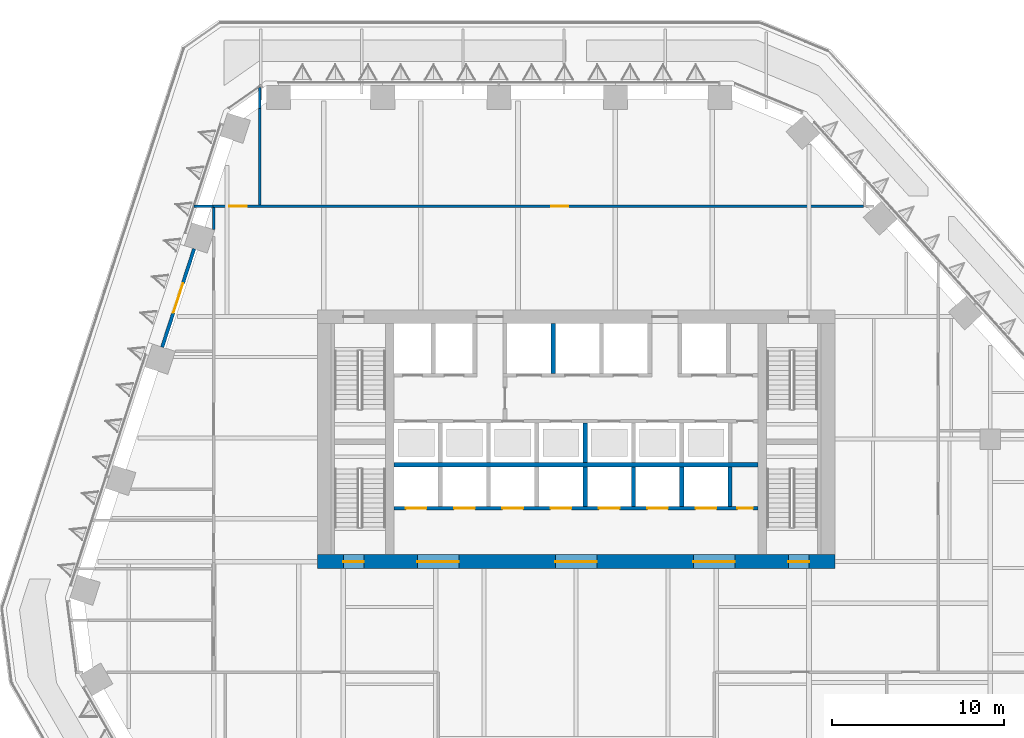
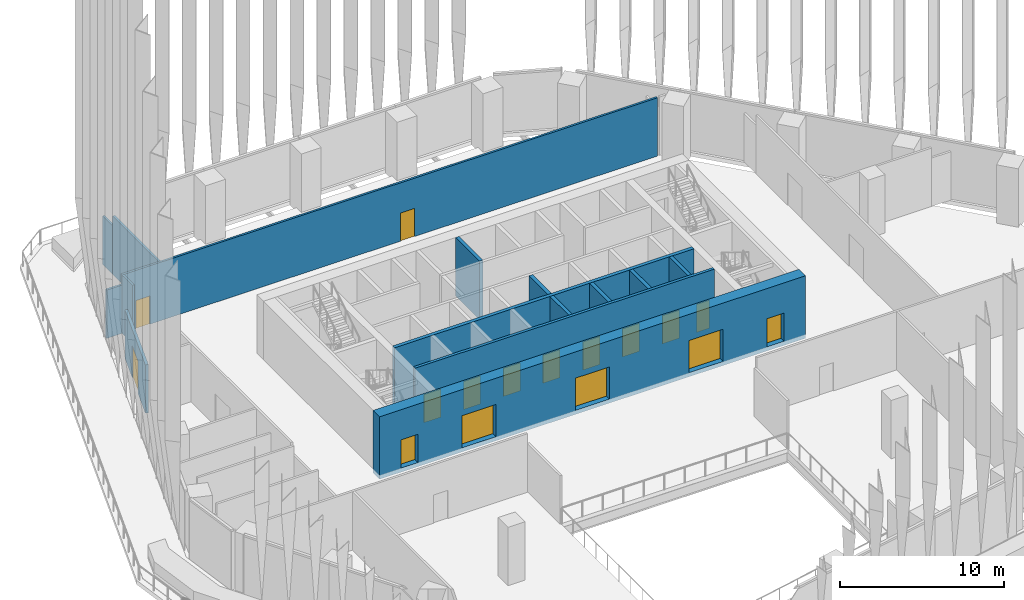
# One storey, part 14 of 27: 16 doors, 15 walls, 16 openings.
"""IFC4 building model written with IfcOpenShell, lengths in metres."""

from ifc_helpers import new_model, si_unit, direction, frame, frame_2d, origin, place, context, subcontext, project, spatial, rectangle, extrude, material, layer, layer_set, type_object, element, fill, save


model = new_model("IFC4")

# Units and contexts
model_context = context("Model", 3, precision=1e-05, world=origin(), true_north=direction((0.0, 1.0)))
body_context = subcontext(model_context, "Body", "Model", "MODEL_VIEW")
ifc_project = project(units=[si_unit("LENGTHUNIT", "METRE"), si_unit("AREAUNIT", "SQUARE_METRE"), si_unit("VOLUMEUNIT", "CUBIC_METRE"), si_unit("PLANEANGLEUNIT", "RADIAN"), si_unit("MASSUNIT", "GRAM", prefix="KILO")], contexts=[model_context])

# Site, building, storey
site_placement = place(None, origin())
site = spatial("IfcSite", under=ifc_project, at=site_placement, CompositionType="ELEMENT")
building_placement = place(site_placement, origin())
building = spatial("IfcBuilding", under=site, at=building_placement, Name="Isthmus Gate Tower", CompositionType="ELEMENT")
storey_placement = place(building_placement, frame((0.0, 0.0, 121.64990234375)))
storey = spatial("IfcBuildingStorey", under=building, at=storey_placement, Name="L29", CompositionType="ELEMENT", Elevation=121.64990234375)

# Wall
ifc_material_1 = material(Name="Gypsum board on cold-formed steel studs", Category="steel")
ifc_layer_1 = layer(ifc_material_1, 0.14990234375)
ifc_layer_set_1 = layer_set([ifc_layer_1])
wall_type_1 = type_object("IfcWallType", Name="Partition 150 gypsum board on steel studs", PredefinedType="PARTITIONING", material=ifc_layer_set_1)
wall_1_placement = place(storey_placement, frame((-22.144287109375, 21.0, 0.0), z_axis=(0.0, 0.0, 1.0), x_axis=(1.0, 0.0, 0.0)))
element("IfcWall", 1, at=wall_1_placement, inside=storey, type_object=wall_type_1, Name="Partition", PredefinedType="PARTITIONING", context=body_context, shape_type="SweptSolid", body=[
    extrude(rectangle(XDim=1.09130859375, YDim=0.14990234375, at=frame_2d((0.545654296875, 0.0))), origin(), (0.0, 0.0, 1.0), 3.60009765625),
])

# Wall, openings, doors
wall_2_placement = place(storey_placement, frame((-21.052978515625, 21.0, 0.0), z_axis=(0.0, 0.0, 1.0), x_axis=(1.0, 0.0, 0.0)))
wall_2 = element("IfcWall", 2, at=wall_2_placement, inside=storey, type_object=wall_type_1, Name="Partition", PredefinedType="PARTITIONING", context=body_context, shape_type="SweptSolid", body=[
    extrude(rectangle(XDim=37.7080078125, YDim=0.14990234375, at=frame_2d((18.85400390625, 0.0))), origin(), (0.0, 0.0, 1.0), 4.35009765625),
])
opening_1_placement = place(wall_2_placement, frame((0.953125, 0.0, 0.0)))
opening_1 = element("IfcOpeningElement", 3, at=opening_1_placement, cuts=wall_2, Name="Opening DP29-01", PredefinedType="OPENING", context=body_context, shape_type="SweptSolid", body=[
    extrude(rectangle(XDim=1.0, YDim=2.10009765625, at=frame_2d((0.5, 1.050048828125))), frame((0.0, 0.0849609375, 0.0), z_axis=(0.0, -1.0, 0.0), x_axis=(1.0, 0.0, 0.0)), (0.0, 0.0, 1.0), 0.169921875),
])
opening_2_placement = place(wall_2_placement, frame((19.602783203125, 0.0, 0.0)))
opening_2 = element("IfcOpeningElement", 4, at=opening_2_placement, cuts=wall_2, Name="Opening DP29-02", PredefinedType="OPENING", context=body_context, shape_type="SweptSolid", body=[
    extrude(rectangle(XDim=1.0, YDim=2.10009765625, at=frame_2d((0.5, 1.050048828125))), frame((0.0, 0.0849609375, 0.0), z_axis=(0.0, -1.0, 0.0), x_axis=(1.0, 0.0, 0.0)), (0.0, 0.0, 1.0), 0.169921875),
])
ifc_material_2 = material(Name="Hollow metal frame with solid-core timber leaf", Category="wood")
door_type_1 = type_object("IfcDoorType", Name="Single swing door 1000 x 2100", OperationType="SINGLE_SWING_LEFT", PredefinedType="DOOR", material=ifc_material_2)
door_1_placement = place(opening_1_placement, origin())
door_1 = element("IfcDoor", 5, at=door_1_placement, inside=storey, type_object=door_type_1, Name="Door DP29-01", OperationType="SINGLE_SWING_LEFT", OverallHeight=2.10009765625, OverallWidth=1.0, PredefinedType="DOOR", context=body_context, shape_type="SweptSolid", body=[
    extrude(rectangle(XDim=1.0, YDim=2.10009765625, at=frame_2d((0.5, 1.050048828125))), frame((0.0, 0.02490234375, 0.0), z_axis=(0.0, -1.0, 0.0), x_axis=(1.0, 0.0, 0.0)), (0.0, 0.0, 1.0), 0.050048828125),
])
fill(opening_1, door_1)
door_2_placement = place(opening_2_placement, origin())
door_2 = element("IfcDoor", 6, at=door_2_placement, inside=storey, type_object=door_type_1, Name="Door DP29-02", OperationType="SINGLE_SWING_LEFT", OverallHeight=2.10009765625, OverallWidth=1.0, PredefinedType="DOOR", context=body_context, shape_type="SweptSolid", body=[
    extrude(rectangle(XDim=1.0, YDim=2.10009765625, at=frame_2d((0.5, 1.050048828125))), frame((0.0, 0.02490234375, 0.0), z_axis=(0.0, -1.0, 0.0), x_axis=(1.0, 0.0, 0.0)), (0.0, 0.0, 1.0), 0.050048828125),
])
fill(opening_2, door_2)

# Walls
wall_3_placement = place(storey_placement, frame((-21.0, 19.6591796875, 0.0), z_axis=(0.0, 0.0, 1.0), x_axis=(0.0, 1.0, 0.0)))
element("IfcWall", 7, at=wall_3_placement, inside=storey, type_object=wall_type_1, Name="Partition", PredefinedType="PARTITIONING", context=body_context, shape_type="SweptSolid", body=[
    extrude(rectangle(XDim=1.265869140625, YDim=0.14990234375, at=frame_2d((0.6328125, 0.0))), origin(), (0.0, 0.0, 1.0), 4.35009765625),
])
wall_4_placement = place(storey_placement, frame((-18.35009765625, 21.074951171875, 0.0), z_axis=(0.0, 0.0, 1.0), x_axis=(0.0, 1.0, 0.0)))
element("IfcWall", 8, at=wall_4_placement, inside=storey, type_object=wall_type_1, Name="Partition", PredefinedType="PARTITIONING", context=body_context, shape_type="SweptSolid", body=[
    extrude(rectangle(XDim=5.58203125, YDim=0.14990234375, at=frame_2d((2.791015625, 0.0))), origin(), (0.0, 0.0, 1.0), 4.35009765625),
])
wall_5_placement = place(storey_placement, frame((-18.35009765625, 26.656982421875, 0.0), z_axis=(0.0, 0.0, 1.0), x_axis=(0.0, 1.0, 0.0)))
element("IfcWall", 9, at=wall_5_placement, inside=storey, type_object=wall_type_1, Name="Partition", PredefinedType="PARTITIONING", context=body_context, shape_type="SweptSolid", body=[
    extrude(rectangle(XDim=1.23974609375, YDim=0.14990234375, at=frame_2d((0.619873046875, 0.0))), origin(), (0.0, 0.0, 1.0), 3.60009765625),
])

# Wall, openings, doors
ifc_material_3 = material(Name="Concrete f'c 60 MPa", Category="concrete")
ifc_layer_2 = layer(ifc_material_3, 0.800048828125)
ifc_layer_set_2 = layer_set([ifc_layer_2], Name="RC CORE WALL 800 F'C 60")
wall_type_2 = type_object("IfcWallType", Name="RC CORE WALL 800 F'C 60", PredefinedType="SOLIDWALL", material=ifc_layer_set_2)
wall_6_placement = place(storey_placement, frame((-15.0, 0.39990234375, -0.2998046875), z_axis=(0.0, 0.0, 1.0), x_axis=(1.0, 0.0, 0.0)))
wall_6 = element("IfcWall", 10, at=wall_6_placement, inside=storey, type_object=wall_type_2, Name="str-corewall-L29-S", PredefinedType="SOLIDWALL", context=body_context, shape_type="SweptSolid", body=[
    extrude(rectangle(XDim=30.0, YDim=0.800048828125, at=frame_2d((15.0, 0.0))), origin(), (0.0, 0.0, 1.0), 4.64990234375),
])
opening_3_placement = place(wall_6_placement, frame((5.800048828125, 0.0, 0.300048828125)))
opening_3 = element("IfcOpeningElement", 11, at=opening_3_placement, cuts=wall_6, Name="Opening DC-A08-05", PredefinedType="OPENING", context=body_context, shape_type="SweptSolid", body=[
    extrude(rectangle(XDim=2.39990234375, YDim=2.39990234375, at=frame_2d((1.199951171875, 1.199951171875))), frame((0.0, 0.409912109375, 0.0), z_axis=(0.0, -1.0, 0.0), x_axis=(1.0, 0.0, 0.0)), (0.0, 0.0, 1.0), 0.820068359375),
])
opening_4_placement = place(wall_6_placement, frame((13.800048828125, 0.0, 0.300048828125)))
opening_4 = element("IfcOpeningElement", 12, at=opening_4_placement, cuts=wall_6, Name="Opening DC-A08-06", PredefinedType="OPENING", context=body_context, shape_type="SweptSolid", body=[
    extrude(rectangle(XDim=2.39990234375, YDim=2.39990234375, at=frame_2d((1.199951171875, 1.199951171875))), frame((0.0, 0.409912109375, 0.0), z_axis=(0.0, -1.0, 0.0), x_axis=(1.0, 0.0, 0.0)), (0.0, 0.0, 1.0), 0.820068359375),
])
opening_5_placement = place(wall_6_placement, frame((21.800048828125, 0.0, 0.300048828125)))
opening_5 = element("IfcOpeningElement", 13, at=opening_5_placement, cuts=wall_6, Name="Opening DC-A08-07", PredefinedType="OPENING", context=body_context, shape_type="SweptSolid", body=[
    extrude(rectangle(XDim=2.39990234375, YDim=2.39990234375, at=frame_2d((1.199951171875, 1.199951171875))), frame((0.0, 0.409912109375, 0.0), z_axis=(0.0, -1.0, 0.0), x_axis=(1.0, 0.0, 0.0)), (0.0, 0.0, 1.0), 0.820068359375),
])
opening_6_placement = place(wall_6_placement, frame((1.5, 0.0, 0.300048828125)))
opening_6 = element("IfcOpeningElement", 14, at=opening_6_placement, cuts=wall_6, Name="Opening DC-A08-12", PredefinedType="OPENING", context=body_context, shape_type="SweptSolid", body=[
    extrude(rectangle(XDim=1.199951171875, YDim=2.10009765625, at=frame_2d((0.60009765625, 1.050048828125))), frame((0.0, 0.409912109375, 0.0), z_axis=(0.0, -1.0, 0.0), x_axis=(1.0, 0.0, 0.0)), (0.0, 0.0, 1.0), 0.820068359375),
])
opening_7_placement = place(wall_6_placement, frame((27.300048828125, 0.0, 0.300048828125)))
opening_7 = element("IfcOpeningElement", 15, at=opening_7_placement, cuts=wall_6, Name="Opening DC-A08-13", PredefinedType="OPENING", context=body_context, shape_type="SweptSolid", body=[
    extrude(rectangle(XDim=1.199951171875, YDim=2.10009765625, at=frame_2d((0.60009765625, 1.050048828125))), frame((0.0, 0.409912109375, 0.0), z_axis=(0.0, -1.0, 0.0), x_axis=(1.0, 0.0, 0.0)), (0.0, 0.0, 1.0), 0.820068359375),
])
ifc_material_4 = material(Name="Laminated safety glass in steel frame, fire-rated", Category="steel")
door_type_2 = type_object("IfcDoorType", Name="LOBBY ENTRANCE FIRE DOOR 2400 X 2400 60 MIN", OperationType="DOUBLE_DOOR_DOUBLE_SWING", PredefinedType="DOOR", material=ifc_material_4)
door_3_placement = place(opening_3_placement, origin())
door_3 = element("IfcDoor", 16, at=door_3_placement, inside=storey, type_object=door_type_2, Name="Lobby Entrance PS-W", OperationType="DOUBLE_DOOR_DOUBLE_SWING", OverallHeight=2.39990234375, OverallWidth=2.39990234375, PredefinedType="DOOR", context=body_context, shape_type="SweptSolid", body=[
    extrude(rectangle(XDim=2.39990234375, YDim=2.39990234375, at=frame_2d((1.199951171875, 1.199951171875))), frame((0.0, 0.02490234375, 0.0), z_axis=(0.0, -1.0, 0.0), x_axis=(1.0, 0.0, 0.0)), (0.0, 0.0, 1.0), 0.050048828125),
])
fill(opening_3, door_3)
door_4_placement = place(opening_4_placement, origin())
door_4 = element("IfcDoor", 17, at=door_4_placement, inside=storey, type_object=door_type_2, Name="Lobby Entrance PS-C", OperationType="DOUBLE_DOOR_DOUBLE_SWING", OverallHeight=2.39990234375, OverallWidth=2.39990234375, PredefinedType="DOOR", context=body_context, shape_type="SweptSolid", body=[
    extrude(rectangle(XDim=2.39990234375, YDim=2.39990234375, at=frame_2d((1.199951171875, 1.199951171875))), frame((0.0, 0.02490234375, 0.0), z_axis=(0.0, -1.0, 0.0), x_axis=(1.0, 0.0, 0.0)), (0.0, 0.0, 1.0), 0.050048828125),
])
fill(opening_4, door_4)
door_5_placement = place(opening_5_placement, origin())
door_5 = element("IfcDoor", 18, at=door_5_placement, inside=storey, type_object=door_type_2, Name="Lobby Entrance PS-E", OperationType="DOUBLE_DOOR_DOUBLE_SWING", OverallHeight=2.39990234375, OverallWidth=2.39990234375, PredefinedType="DOOR", context=body_context, shape_type="SweptSolid", body=[
    extrude(rectangle(XDim=2.39990234375, YDim=2.39990234375, at=frame_2d((1.199951171875, 1.199951171875))), frame((0.0, 0.02490234375, 0.0), z_axis=(0.0, -1.0, 0.0), x_axis=(1.0, 0.0, 0.0)), (0.0, 0.0, 1.0), 0.050048828125),
])
fill(opening_5, door_5)
ifc_material_5 = material(Name="Steel door leaf, fire-rated", Category="steel")
door_type_3 = type_object("IfcDoorType", Name="STAIR FIRE DOOR 1200 X 2100 90 MIN", OperationType="SINGLE_SWING_LEFT", PredefinedType="DOOR", material=ifc_material_5)
door_6_placement = place(opening_6_placement, origin())
door_6 = element("IfcDoor", 19, at=door_6_placement, inside=storey, type_object=door_type_3, Name="Exit Stair 7 Door", OperationType="SINGLE_SWING_LEFT", OverallHeight=2.10009765625, OverallWidth=1.199951171875, PredefinedType="DOOR", context=body_context, shape_type="SweptSolid", body=[
    extrude(rectangle(XDim=1.199951171875, YDim=2.10009765625, at=frame_2d((0.60009765625, 1.050048828125))), frame((0.0, 0.02490234375, 0.0), z_axis=(0.0, -1.0, 0.0), x_axis=(1.0, 0.0, 0.0)), (0.0, 0.0, 1.0), 0.050048828125),
])
fill(opening_6, door_6)
door_7_placement = place(opening_7_placement, origin())
door_7 = element("IfcDoor", 20, at=door_7_placement, inside=storey, type_object=door_type_3, Name="Exit Stair 8 Door", OperationType="SINGLE_SWING_RIGHT", OverallHeight=2.10009765625, OverallWidth=1.199951171875, PredefinedType="DOOR", context=body_context, shape_type="SweptSolid", body=[
    extrude(rectangle(XDim=1.199951171875, YDim=2.10009765625, at=frame_2d((0.60009765625, 1.050048828125))), frame((0.0, 0.02490234375, 0.0), z_axis=(0.0, -1.0, 0.0), x_axis=(1.0, 0.0, 0.0)), (0.0, 0.0, 1.0), 0.050048828125),
])
fill(opening_7, door_7)

ifc_material_6 = material(Name="Fire-rated blockwork masonry, 15 MPa", Category="masonry")
ifc_layer_3 = layer(ifc_material_6, 0.199951171875)
ifc_layer_set_3 = layer_set([ifc_layer_3], Name="SHAFT FRONT WALL 200 120 MIN")
wall_type_3 = type_object("IfcWallType", Name="SHAFT FRONT WALL 200 120 MIN", PredefinedType="PARTITIONING", material=ifc_layer_set_3)
wall_7_placement = place(storey_placement, frame((-10.550048828125, 3.5, 0.0), z_axis=(0.0, 0.0, 1.0), x_axis=(1.0, 0.0, 0.0)))
wall_7 = element("IfcWall", 21, at=wall_7_placement, inside=storey, type_object=wall_type_3, Name="L29 SHAFT FRONT WALL 200 120 MIN", PredefinedType="PARTITIONING", context=body_context, shape_type="SweptSolid", body=[
    extrude(rectangle(XDim=21.10009765625, YDim=0.199951171875, at=frame_2d((10.550048828125, 0.0))), origin(), (0.0, 0.0, 1.0), 4.35009765625),
])
opening_8_placement = place(wall_7_placement, frame((0.675048828125, 0.0, 0.0)))
opening_8 = element("IfcOpeningElement", 22, at=opening_8_placement, cuts=wall_7, Name="Opening LD-LA1", PredefinedType="OPENING", context=body_context, shape_type="SweptSolid", body=[
    extrude(rectangle(XDim=1.199951171875, YDim=2.10009765625, at=frame_2d((0.60009765625, 1.050048828125))), frame((0.0, 0.10986328125, 0.0), z_axis=(0.0, -1.0, 0.0), x_axis=(1.0, 0.0, 0.0)), (0.0, 0.0, 1.0), 0.219970703125),
])
opening_9_placement = place(wall_7_placement, frame((3.47509765625, 0.0, 0.0)))
opening_9 = element("IfcOpeningElement", 23, at=opening_9_placement, cuts=wall_7, Name="Opening LD-LA2", PredefinedType="OPENING", context=body_context, shape_type="SweptSolid", body=[
    extrude(rectangle(XDim=1.199951171875, YDim=2.10009765625, at=frame_2d((0.60009765625, 1.050048828125))), frame((0.0, 0.10986328125, 0.0), z_axis=(0.0, -1.0, 0.0), x_axis=(1.0, 0.0, 0.0)), (0.0, 0.0, 1.0), 0.219970703125),
])
opening_10_placement = place(wall_7_placement, frame((6.27490234375, 0.0, 0.0)))
opening_10 = element("IfcOpeningElement", 24, at=opening_10_placement, cuts=wall_7, Name="Opening LD-LA3", PredefinedType="OPENING", context=body_context, shape_type="SweptSolid", body=[
    extrude(rectangle(XDim=1.199951171875, YDim=2.10009765625, at=frame_2d((0.60009765625, 1.050048828125))), frame((0.0, 0.10986328125, 0.0), z_axis=(0.0, -1.0, 0.0), x_axis=(1.0, 0.0, 0.0)), (0.0, 0.0, 1.0), 0.219970703125),
])
opening_11_placement = place(wall_7_placement, frame((9.074951171875, 0.0, 0.0)))
opening_11 = element("IfcOpeningElement", 25, at=opening_11_placement, cuts=wall_7, Name="Opening LD-LA4", PredefinedType="OPENING", context=body_context, shape_type="SweptSolid", body=[
    extrude(rectangle(XDim=1.199951171875, YDim=2.10009765625, at=frame_2d((0.60009765625, 1.050048828125))), frame((0.0, 0.10986328125, 0.0), z_axis=(0.0, -1.0, 0.0), x_axis=(1.0, 0.0, 0.0)), (0.0, 0.0, 1.0), 0.219970703125),
])
opening_12_placement = place(wall_7_placement, frame((11.875, 0.0, 0.0)))
opening_12 = element("IfcOpeningElement", 26, at=opening_12_placement, cuts=wall_7, Name="Opening LD-LA5", PredefinedType="OPENING", context=body_context, shape_type="SweptSolid", body=[
    extrude(rectangle(XDim=1.199951171875, YDim=2.10009765625, at=frame_2d((0.60009765625, 1.050048828125))), frame((0.0, 0.10986328125, 0.0), z_axis=(0.0, -1.0, 0.0), x_axis=(1.0, 0.0, 0.0)), (0.0, 0.0, 1.0), 0.219970703125),
])
opening_13_placement = place(wall_7_placement, frame((14.675048828125, 0.0, 0.0)))
opening_13 = element("IfcOpeningElement", 27, at=opening_13_placement, cuts=wall_7, Name="Opening LD-LA6", PredefinedType="OPENING", context=body_context, shape_type="SweptSolid", body=[
    extrude(rectangle(XDim=1.199951171875, YDim=2.10009765625, at=frame_2d((0.60009765625, 1.050048828125))), frame((0.0, 0.10986328125, 0.0), z_axis=(0.0, -1.0, 0.0), x_axis=(1.0, 0.0, 0.0)), (0.0, 0.0, 1.0), 0.219970703125),
])
opening_14_placement = place(wall_7_placement, frame((17.47509765625, 0.0, 0.0)))
opening_14 = element("IfcOpeningElement", 28, at=opening_14_placement, cuts=wall_7, Name="Opening LD-LA7", PredefinedType="OPENING", context=body_context, shape_type="SweptSolid", body=[
    extrude(rectangle(XDim=1.199951171875, YDim=2.10009765625, at=frame_2d((0.60009765625, 1.050048828125))), frame((0.0, 0.10986328125, 0.0), z_axis=(0.0, -1.0, 0.0), x_axis=(1.0, 0.0, 0.0)), (0.0, 0.0, 1.0), 0.219970703125),
])
opening_15_placement = place(wall_7_placement, frame((19.89990234375, 0.0, 0.0)))
opening_15 = element("IfcOpeningElement", 29, at=opening_15_placement, cuts=wall_7, Name="Opening DC-A08-02", PredefinedType="OPENING", context=body_context, shape_type="SweptSolid", body=[
    extrude(rectangle(XDim=0.89990234375, YDim=2.10009765625, at=frame_2d((0.449951171875, 1.050048828125))), frame((0.0, 0.10986328125, 0.0), z_axis=(0.0, -1.0, 0.0), x_axis=(1.0, 0.0, 0.0)), (0.0, 0.0, 1.0), 0.219970703125),
])
ifc_material_7 = material(Name="Stainless steel sliding leaf", Category="steel")
door_type_4 = type_object("IfcDoorType", Name="LIFT LANDING FIRE DOOR 1200 X 2100 90 MIN", OperationType="DOUBLE_DOOR_SLIDING", PredefinedType="DOOR", material=ifc_material_7)
door_8_placement = place(opening_8_placement, origin())
door_8 = element("IfcDoor", 30, at=door_8_placement, inside=storey, type_object=door_type_4, Name="Lift Landing Door LA1", OperationType="DOUBLE_DOOR_SLIDING", OverallHeight=2.10009765625, OverallWidth=1.199951171875, PredefinedType="DOOR", context=body_context, shape_type="SweptSolid", body=[
    extrude(rectangle(XDim=1.199951171875, YDim=2.10009765625, at=frame_2d((0.60009765625, 1.050048828125))), frame((0.0, 0.02490234375, 0.0), z_axis=(0.0, -1.0, 0.0), x_axis=(1.0, 0.0, 0.0)), (0.0, 0.0, 1.0), 0.050048828125),
])
fill(opening_8, door_8)
door_9_placement = place(opening_9_placement, origin())
door_9 = element("IfcDoor", 31, at=door_9_placement, inside=storey, type_object=door_type_4, Name="Lift Landing Door LA2", OperationType="DOUBLE_DOOR_SLIDING", OverallHeight=2.10009765625, OverallWidth=1.199951171875, PredefinedType="DOOR", context=body_context, shape_type="SweptSolid", body=[
    extrude(rectangle(XDim=1.199951171875, YDim=2.10009765625, at=frame_2d((0.60009765625, 1.050048828125))), frame((0.0, 0.02490234375, 0.0), z_axis=(0.0, -1.0, 0.0), x_axis=(1.0, 0.0, 0.0)), (0.0, 0.0, 1.0), 0.050048828125),
])
fill(opening_9, door_9)
door_10_placement = place(opening_10_placement, origin())
door_10 = element("IfcDoor", 32, at=door_10_placement, inside=storey, type_object=door_type_4, Name="Lift Landing Door LA3", OperationType="DOUBLE_DOOR_SLIDING", OverallHeight=2.10009765625, OverallWidth=1.199951171875, PredefinedType="DOOR", context=body_context, shape_type="SweptSolid", body=[
    extrude(rectangle(XDim=1.199951171875, YDim=2.10009765625, at=frame_2d((0.60009765625, 1.050048828125))), frame((0.0, 0.02490234375, 0.0), z_axis=(0.0, -1.0, 0.0), x_axis=(1.0, 0.0, 0.0)), (0.0, 0.0, 1.0), 0.050048828125),
])
fill(opening_10, door_10)
door_11_placement = place(opening_11_placement, origin())
door_11 = element("IfcDoor", 33, at=door_11_placement, inside=storey, type_object=door_type_4, Name="Lift Landing Door LA4", OperationType="DOUBLE_DOOR_SLIDING", OverallHeight=2.10009765625, OverallWidth=1.199951171875, PredefinedType="DOOR", context=body_context, shape_type="SweptSolid", body=[
    extrude(rectangle(XDim=1.199951171875, YDim=2.10009765625, at=frame_2d((0.60009765625, 1.050048828125))), frame((0.0, 0.02490234375, 0.0), z_axis=(0.0, -1.0, 0.0), x_axis=(1.0, 0.0, 0.0)), (0.0, 0.0, 1.0), 0.050048828125),
])
fill(opening_11, door_11)
door_12_placement = place(opening_12_placement, origin())
door_12 = element("IfcDoor", 34, at=door_12_placement, inside=storey, type_object=door_type_4, Name="Lift Landing Door LA5", OperationType="DOUBLE_DOOR_SLIDING", OverallHeight=2.10009765625, OverallWidth=1.199951171875, PredefinedType="DOOR", context=body_context, shape_type="SweptSolid", body=[
    extrude(rectangle(XDim=1.199951171875, YDim=2.10009765625, at=frame_2d((0.60009765625, 1.050048828125))), frame((0.0, 0.02490234375, 0.0), z_axis=(0.0, -1.0, 0.0), x_axis=(1.0, 0.0, 0.0)), (0.0, 0.0, 1.0), 0.050048828125),
])
fill(opening_12, door_12)
door_13_placement = place(opening_13_placement, origin())
door_13 = element("IfcDoor", 35, at=door_13_placement, inside=storey, type_object=door_type_4, Name="Lift Landing Door LA6", OperationType="DOUBLE_DOOR_SLIDING", OverallHeight=2.10009765625, OverallWidth=1.199951171875, PredefinedType="DOOR", context=body_context, shape_type="SweptSolid", body=[
    extrude(rectangle(XDim=1.199951171875, YDim=2.10009765625, at=frame_2d((0.60009765625, 1.050048828125))), frame((0.0, 0.02490234375, 0.0), z_axis=(0.0, -1.0, 0.0), x_axis=(1.0, 0.0, 0.0)), (0.0, 0.0, 1.0), 0.050048828125),
])
fill(opening_13, door_13)
door_14_placement = place(opening_14_placement, origin())
door_14 = element("IfcDoor", 36, at=door_14_placement, inside=storey, type_object=door_type_4, Name="Lift Landing Door LA7", OperationType="DOUBLE_DOOR_SLIDING", OverallHeight=2.10009765625, OverallWidth=1.199951171875, PredefinedType="DOOR", context=body_context, shape_type="SweptSolid", body=[
    extrude(rectangle(XDim=1.199951171875, YDim=2.10009765625, at=frame_2d((0.60009765625, 1.050048828125))), frame((0.0, 0.02490234375, 0.0), z_axis=(0.0, -1.0, 0.0), x_axis=(1.0, 0.0, 0.0)), (0.0, 0.0, 1.0), 0.050048828125),
])
fill(opening_14, door_14)
ifc_material_8 = material(Name="Steel door leaf, fire-rated", Category="steel")
door_type_5 = type_object("IfcDoorType", Name="RISER FIRE DOOR 900 X 2100 90 MIN", OperationType="SINGLE_SWING_LEFT", PredefinedType="DOOR", material=ifc_material_8)
door_15_placement = place(opening_15_placement, origin())
door_15 = element("IfcDoor", 37, at=door_15_placement, inside=storey, type_object=door_type_5, Name="Riser Door", OperationType="SINGLE_SWING_RIGHT", OverallHeight=2.10009765625, OverallWidth=0.89990234375, PredefinedType="DOOR", context=body_context, shape_type="SweptSolid", body=[
    extrude(rectangle(XDim=0.89990234375, YDim=2.10009765625, at=frame_2d((0.449951171875, 1.050048828125))), frame((0.0, 0.02490234375, 0.0), z_axis=(0.0, -1.0, 0.0), x_axis=(1.0, 0.0, 0.0)), (0.0, 0.0, 1.0), 0.050048828125),
])
fill(opening_15, door_15)

# Walls
ifc_material_9 = material(Name="Fire-rated blockwork masonry, 15 MPa", Category="masonry")
ifc_layer_4 = layer(ifc_material_9, 0.25)
ifc_layer_set_4 = layer_set([ifc_layer_4], Name="SHAFT WALL 250 120 MIN")
wall_type_4 = type_object("IfcWallType", Name="SHAFT WALL 250 120 MIN", PredefinedType="PARTITIONING", material=ifc_layer_set_4)
wall_8_placement = place(storey_placement, frame((-10.550048828125, 6.02490234375, 0.0), z_axis=(0.0, 0.0, 1.0), x_axis=(1.0, 0.0, 0.0)))
element("IfcWall", 38, at=wall_8_placement, inside=storey, type_object=wall_type_4, Name="L29 SHAFT WALL 250 120 MIN", PredefinedType="PARTITIONING", context=body_context, shape_type="SweptSolid", body=[
    extrude(rectangle(XDim=21.10009765625, YDim=0.25, at=frame_2d((10.550048828125, 0.0))), origin(), (0.0, 0.0, 1.0), 4.35009765625),
])
for number, where, z_axis, x_axis, name in (
    (39, (0.52490234375, 3.60009765625, 0.0), (0.0, 0.0, 1.0), (0.0, 1.0, 0.0), "L29 SHAFT WALL 250 120 MIN"),
    (40, (3.324951171875, 3.60009765625, 0.0), (0.0, 0.0, 1.0), (0.0, 1.0, 0.0), "L29 SHAFT WALL 250 120 MIN"),
    (41, (6.125, 3.60009765625, 0.0), (0.0, 0.0, 1.0), (0.0, 1.0, 0.0), "L29 SHAFT WALL 250 120 MIN"),
    (42, (8.925048828125, 3.60009765625, 0.0), (0.0, 0.0, 1.0), (0.0, 1.0, 0.0), "L29 SHAFT WALL 250 120 MIN"),
):
    element("IfcWall", number, at=place(storey_placement, frame(where, z_axis=z_axis, x_axis=x_axis)), inside=storey, type_object=wall_type_4, Name=name, PredefinedType="PARTITIONING", context=body_context, shape_type="SweptSolid", body=[
        extrude(rectangle(XDim=2.2998046875, YDim=0.25, at=frame_2d((1.14990234375, 0.0))), origin(), (0.0, 0.0, 1.0), 4.35009765625),
    ])
wall_9_placement = place(storey_placement, frame((0.52490234375, 6.14990234375, 0.0), z_axis=(0.0, 0.0, 1.0), x_axis=(0.0, 1.0, 0.0)))
element("IfcWall", 43, at=wall_9_placement, inside=storey, type_object=wall_type_4, Name="L29 SHAFT WALL 250 120 MIN", PredefinedType="PARTITIONING", context=body_context, shape_type="SweptSolid", body=[
    extrude(rectangle(XDim=2.300048828125, YDim=0.25, at=frame_2d((1.14990234375, 0.0))), origin(), (0.0, 0.0, 1.0), 4.35009765625),
])
wall_10_placement = place(storey_placement, frame((-1.324951171875, 11.300048828125, 0.0), z_axis=(0.0, 0.0, 1.0), x_axis=(0.0, 1.0, 0.0)))
element("IfcWall", 44, at=wall_10_placement, inside=storey, type_object=wall_type_4, Name="L29 SHAFT WALL 250 120 MIN", PredefinedType="PARTITIONING", context=body_context, shape_type="SweptSolid", body=[
    extrude(rectangle(XDim=2.89990234375, YDim=0.25, at=frame_2d((1.449951171875, 0.0))), origin(), (0.0, 0.0, 1.0), 4.35009765625),
])

# Wall, opening, door
ifc_material_10 = material(Name="Precast concrete C40/50", Category="concrete")
ifc_layer_5 = layer(ifc_material_10, 0.199951171875)
ifc_layer_set_5 = layer_set([ifc_layer_5], Name="TERRACE DOOR WALL 200")
wall_type_5 = type_object("IfcWallType", Name="TERRACE DOOR WALL 200", PredefinedType="SOLIDWALL", material=ifc_layer_set_5)
wall_11_placement = place(storey_placement, frame((-22.144287109375, 18.53466796875, 0.0), z_axis=(0.0, 0.0, 1.0), x_axis=(-0.309029860788, -0.951052335648, 0.0)))
wall_11 = element("IfcWall", 45, at=wall_11_placement, inside=storey, type_object=wall_type_5, Name="TERRACE DOOR WALL", PredefinedType="SOLIDWALL", context=body_context, shape_type="SweptSolid", body=[
    extrude(rectangle(XDim=5.99072265625, YDim=0.199951171875, at=frame_2d((2.995361328125, 0.0))), origin(), (0.0, 0.0, 1.0), 3.60009765625),
])
opening_16_placement = place(wall_11_placement, frame((2.095458984375, 0.0, 0.0)))
opening_16 = element("IfcOpeningElement", 46, at=opening_16_placement, cuts=wall_11, Name="Opening DE29-01", PredefinedType="OPENING", context=body_context, shape_type="SweptSolid", body=[
    extrude(rectangle(XDim=1.800048828125, YDim=2.39990234375, at=frame_2d((0.89990234375, 1.199951171875))), frame((0.0, 0.10986328125, 0.0), z_axis=(0.0, -1.0, 0.0), x_axis=(1.0, 0.0, 0.0)), (0.0, 0.0, 1.0), 0.219970703125),
])
ifc_material_11 = material(Name="Aluminium and laminated glass", Category="aluminium")
door_type_6 = type_object("IfcDoorType", Name="TERRACE DOOR SLIDING 1800 X 2400", OperationType="DOUBLE_DOOR_SLIDING", PredefinedType="DOOR", material=ifc_material_11)
door_16_placement = place(opening_16_placement, origin())
door_16 = element("IfcDoor", 47, at=door_16_placement, inside=storey, type_object=door_type_6, Name="DOOR DE29-01", OperationType="SINGLE_SWING_LEFT", OverallHeight=2.39990234375, OverallWidth=1.800048828125, PredefinedType="DOOR", context=body_context, shape_type="SweptSolid", body=[
    extrude(rectangle(XDim=1.800048828125, YDim=2.39990234375, at=frame_2d((0.89990234375, 1.199951171875))), frame((0.0, 0.02490234375, 0.0), z_axis=(0.0, -1.0, 0.0), x_axis=(1.0, 0.0, 0.0)), (0.0, 0.0, 1.0), 0.050048828125),
])
fill(opening_16, door_16)

save(model, "model.ifc")
